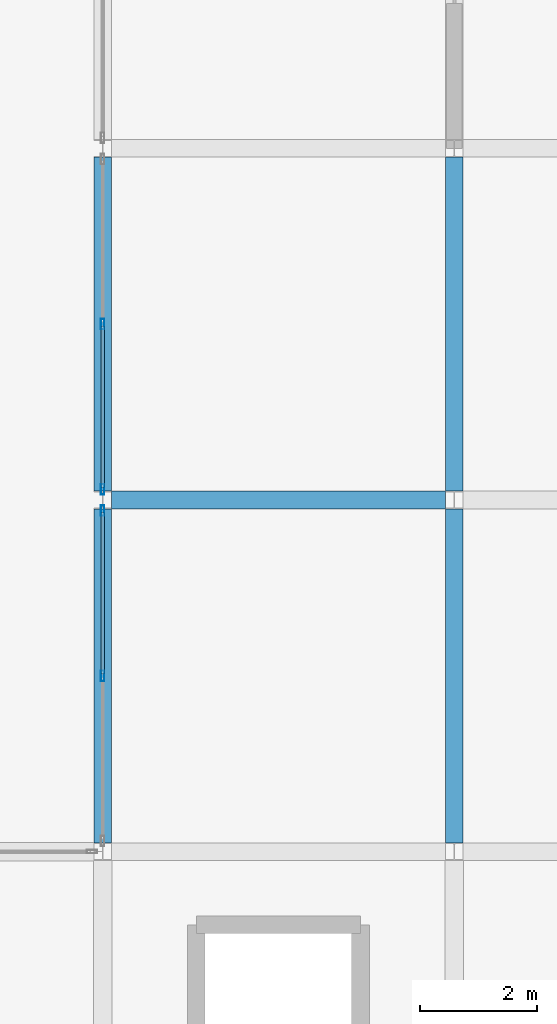
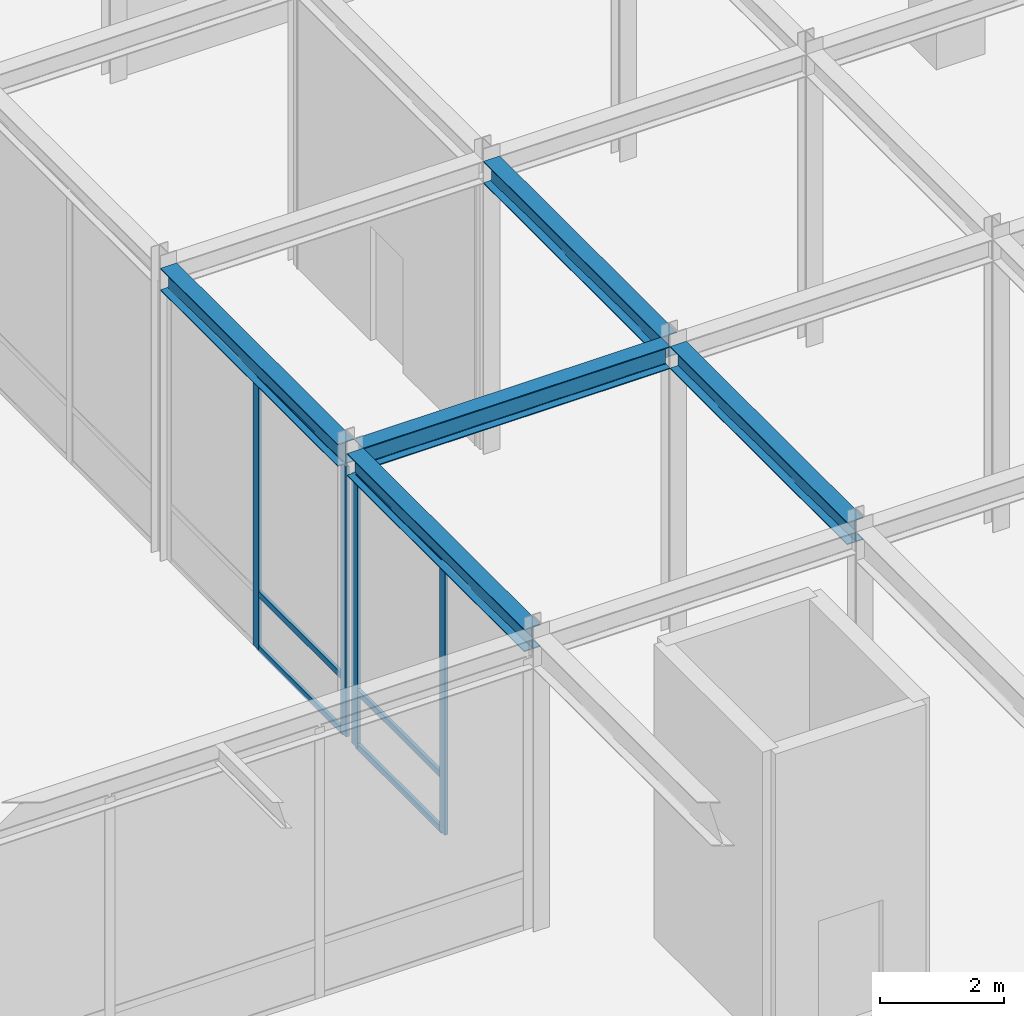
# One storey, part 46 of 108: 10 members, 5 beams, 2 elements without a shape of their own.
"""IFC4 building model written with IfcOpenShell, lengths in metres."""

from ifc_helpers import new_model, si_unit, direction, frame, origin, origin_2d, place, context, subcontext, project, spatial, hollow_rectangle, i_section, extrude, material, layer, layer_set, material_profile, profile_set, type_object, element, aggregate, save


model = new_model("IFC4")

# Units and contexts
model_context = context("Model", 3, precision=1e-05, world=origin(), true_north=direction((0.0, 1.0)))
body_context = subcontext(model_context, "Body", "Model", "MODEL_VIEW")
ifc_project = project(units=[si_unit("LENGTHUNIT", "METRE"), si_unit("AREAUNIT", "SQUARE_METRE"), si_unit("VOLUMEUNIT", "CUBIC_METRE"), si_unit("PLANEANGLEUNIT", "RADIAN"), si_unit("MASSUNIT", "GRAM", prefix="KILO")], contexts=[model_context])

# Site, building, storey
site_placement = place(None, origin())
site = spatial("IfcSite", under=ifc_project, at=site_placement, CompositionType="ELEMENT")
building_placement = place(site_placement, origin())
building = spatial("IfcBuilding", under=site, at=building_placement, Name="Zlatovratsky Civic Hall", CompositionType="ELEMENT")
storey_placement = place(building_placement, frame((0.0, 0.0, 6.0)))
storey = spatial("IfcBuildingStorey", under=building, at=storey_placement, Name="L02", CompositionType="ELEMENT", Elevation=6.0)

# Beams
ifc_material_1 = material(Name="Steel S355", Category="steel")
ifc_material_profile_1 = material_profile(ifc_material_1, i_section(OverallWidth=0.300048828125, OverallDepth=0.43994140625, WebThickness=0.010986328125, FlangeThickness=0.01806640625, FilletRadius=0.02197265625, at=origin_2d()), Name="45Sh1")
ifc_profile_set_1 = profile_set([ifc_material_profile_1], Name="Steel S355")
beam_type = type_object("IfcBeamType", Name="Beam_TowerLow_45Sh1", PredefinedType="BEAM", material=ifc_profile_set_1)
for number, where, z_axis, x_axis, name in (
    (1, (48.14990234375, 36.0, 5.5400390625), (1.0, 0.0, 0.0), (0.0, 1.0, 0.0), "BM-1803"),
    (2, (48.0, 30.14990234375, 5.5400390625), (0.0, 1.0, 0.0), (-1.0, 0.0, 0.0), "BM-2133"),
    (3, (48.0, 36.14990234375, 5.5400390625), (0.0, 1.0, 0.0), (-1.0, 0.0, 0.0), "BM-2134"),
    (4, (54.0, 30.14990234375, 5.5400390625), (0.0, 1.0, 0.0), (-1.0, 0.0, 0.0), "BM-2150"),
    (5, (54.0, 36.14990234375, 5.5400390625), (0.0, 1.0, 0.0), (-1.0, 0.0, 0.0), "BM-2151"),
):
    element("IfcBeam", number, at=place(storey_placement, frame(where, z_axis=z_axis, x_axis=x_axis)), inside=storey, type_object=beam_type, Name=name, PredefinedType="BEAM", context=body_context, shape_type="SweptSolid", body=[
        extrude(i_section(OverallWidth=0.300048828125, OverallDepth=0.43994140625, WebThickness=0.010986328125, FlangeThickness=0.01806640625, FilletRadius=0.02197265625, at=origin_2d()), origin(), (0.0, 0.0, 1.0), 5.7001953125),
    ])

# Curtain wall, members
ifc_material_2 = material(Name="Anodised bronze aluminium", Category="aluminium")
ifc_layer = layer(ifc_material_2, 0.159912109375)
ifc_layer_set = layer_set([ifc_layer], Name="Anodised bronze aluminium")
curtain_wall_type = type_object("IfcCurtainWallType", Name="CurtainWall_Bronze_5700x5310_06", PredefinedType="NOTDEFINED", material=ifc_layer_set)
curtain_wall_1_placement = place(storey_placement, origin())
curtain_wall_1 = element("IfcCurtainWall", 6, at=curtain_wall_1_placement, inside=storey, type_object=curtain_wall_type, Name="CW-021", PredefinedType="NOTDEFINED")
ifc_material_profile_2 = material_profile(ifc_material_2, hollow_rectangle(XDim=0.06005859375, YDim=0.179931640625, WallThickness=0.00390625, at=origin_2d()), Name="ALU 60x180x4")
ifc_profile_set_2 = profile_set([ifc_material_profile_2], Name="Anodised bronze aluminium")
member_type_1 = type_object("IfcMemberType", Name="CW_Mullion_60x180", PredefinedType="MULLION", material=ifc_profile_set_2)
member_1_placement = place(storey_placement, frame((48.0, 33.0, 0.0), z_axis=(0.0, 0.0, 1.0), x_axis=(-1.0, 0.0, 0.0)))
member_1 = element("IfcMember", 7, at=member_1_placement, type_object=member_type_1, Name="CW-06 mullion 2", PredefinedType="MULLION", context=body_context, shape_type="SweptSolid", body=[
    extrude(hollow_rectangle(XDim=0.06005859375, YDim=0.179931640625, WallThickness=0.00390625, at=origin_2d()), origin(), (0.0, 0.0, 1.0), 5.31005859375),
])
member_2_placement = place(storey_placement, frame((48.0, 35.820068359375, 0.0), z_axis=(0.0, 0.0, 1.0), x_axis=(-1.0, 0.0, 0.0)))
member_2 = element("IfcMember", 8, at=member_2_placement, type_object=member_type_1, Name="CW-06 mullion 3", PredefinedType="MULLION", context=body_context, shape_type="SweptSolid", body=[
    extrude(hollow_rectangle(XDim=0.06005859375, YDim=0.179931640625, WallThickness=0.00390625, at=origin_2d()), origin(), (0.0, 0.0, 1.0), 5.31005859375),
])

curtain_wall_2_placement = place(storey_placement, origin())
curtain_wall_2 = element("IfcCurtainWall", 9, at=curtain_wall_2_placement, inside=storey, type_object=curtain_wall_type, Name="CW-022", PredefinedType="NOTDEFINED")
member_3_placement = place(storey_placement, frame((48.0, 36.179931640625, 0.0), z_axis=(0.0, 0.0, 1.0), x_axis=(-1.0, 0.0, 0.0)))
member_3 = element("IfcMember", 10, at=member_3_placement, type_object=member_type_1, Name="CW-06 mullion 1", PredefinedType="MULLION", context=body_context, shape_type="SweptSolid", body=[
    extrude(hollow_rectangle(XDim=0.06005859375, YDim=0.179931640625, WallThickness=0.00390625, at=origin_2d()), origin(), (0.0, 0.0, 1.0), 5.31005859375),
])
member_4_placement = place(storey_placement, frame((48.0, 39.0, 0.0), z_axis=(0.0, 0.0, 1.0), x_axis=(-1.0, 0.0, 0.0)))
member_4 = element("IfcMember", 11, at=member_4_placement, type_object=member_type_1, Name="CW-06 mullion 2", PredefinedType="MULLION", context=body_context, shape_type="SweptSolid", body=[
    extrude(hollow_rectangle(XDim=0.06005859375, YDim=0.179931640625, WallThickness=0.00390625, at=origin_2d()), origin(), (0.0, 0.0, 1.0), 5.31005859375),
])

# Member
ifc_material_profile_3 = material_profile(ifc_material_2, hollow_rectangle(XDim=0.06005859375, YDim=0.1201171875, WallThickness=0.00390625, at=origin_2d()), Name="ALU 60x120x4")
ifc_profile_set_3 = profile_set([ifc_material_profile_3], Name="Anodised bronze aluminium")
member_type_2 = type_object("IfcMemberType", Name="CW_Transom_60x120", PredefinedType="USERDEFINED", material=ifc_profile_set_3)
member_5_placement = place(storey_placement, frame((48.0, 33.030029296875, 0.030029296875), z_axis=(0.0, 1.0, 0.0), x_axis=(-1.0, 0.0, 0.0)))
member_5 = element("IfcMember", 12, at=member_5_placement, type_object=member_type_2, Name="CW-06 transom 2.1", ObjectType="TRANSOM", PredefinedType="USERDEFINED", context=body_context, shape_type="SweptSolid", body=[
    extrude(hollow_rectangle(XDim=0.06005859375, YDim=0.1201171875, WallThickness=0.00390625, at=origin_2d()), origin(), (0.0, 0.0, 1.0), 2.760009765625),
])

member_6_placement = place(storey_placement, frame((48.0, 33.030029296875, 1.10009765625), z_axis=(0.0, 1.0, 0.0), x_axis=(-1.0, 0.0, 0.0)))
member_6 = element("IfcMember", 13, at=member_6_placement, type_object=member_type_2, Name="CW-06 transom 2.2", ObjectType="TRANSOM", PredefinedType="USERDEFINED", context=body_context, shape_type="SweptSolid", body=[
    extrude(hollow_rectangle(XDim=0.06005859375, YDim=0.1201171875, WallThickness=0.00390625, at=origin_2d()), origin(), (0.0, 0.0, 1.0), 2.760009765625),
])

member_7_placement = place(storey_placement, frame((48.0, 33.030029296875, 5.280029296875), z_axis=(0.0, 1.0, 0.0), x_axis=(-1.0, 0.0, 0.0)))
member_7 = element("IfcMember", 14, at=member_7_placement, type_object=member_type_2, Name="CW-06 transom 2.3", ObjectType="TRANSOM", PredefinedType="USERDEFINED", context=body_context, shape_type="SweptSolid", body=[
    extrude(hollow_rectangle(XDim=0.06005859375, YDim=0.1201171875, WallThickness=0.00390625, at=origin_2d()), origin(), (0.0, 0.0, 1.0), 2.760009765625),
])

aggregate(curtain_wall_1, [member_1, member_2, member_5, member_6, member_7])

member_8_placement = place(storey_placement, frame((48.0, 36.2099609375, 0.030029296875), z_axis=(0.0, 1.0, 0.0), x_axis=(-1.0, 0.0, 0.0)))
member_8 = element("IfcMember", 15, at=member_8_placement, type_object=member_type_2, Name="CW-06 transom 1.1", ObjectType="TRANSOM", PredefinedType="USERDEFINED", context=body_context, shape_type="SweptSolid", body=[
    extrude(hollow_rectangle(XDim=0.06005859375, YDim=0.1201171875, WallThickness=0.00390625, at=origin_2d()), origin(), (0.0, 0.0, 1.0), 2.760009765625),
])

member_9_placement = place(storey_placement, frame((48.0, 36.2099609375, 1.10009765625), z_axis=(0.0, 1.0, 0.0), x_axis=(-1.0, 0.0, 0.0)))
member_9 = element("IfcMember", 16, at=member_9_placement, type_object=member_type_2, Name="CW-06 transom 1.2", ObjectType="TRANSOM", PredefinedType="USERDEFINED", context=body_context, shape_type="SweptSolid", body=[
    extrude(hollow_rectangle(XDim=0.06005859375, YDim=0.1201171875, WallThickness=0.00390625, at=origin_2d()), origin(), (0.0, 0.0, 1.0), 2.760009765625),
])

member_10_placement = place(storey_placement, frame((48.0, 36.2099609375, 5.280029296875), z_axis=(0.0, 1.0, 0.0), x_axis=(-1.0, 0.0, 0.0)))
member_10 = element("IfcMember", 17, at=member_10_placement, type_object=member_type_2, Name="CW-06 transom 1.3", ObjectType="TRANSOM", PredefinedType="USERDEFINED", context=body_context, shape_type="SweptSolid", body=[
    extrude(hollow_rectangle(XDim=0.06005859375, YDim=0.1201171875, WallThickness=0.00390625, at=origin_2d()), origin(), (0.0, 0.0, 1.0), 2.760009765625),
])

aggregate(curtain_wall_2, [member_3, member_4, member_8, member_9, member_10])

save(model, "model.ifc")
